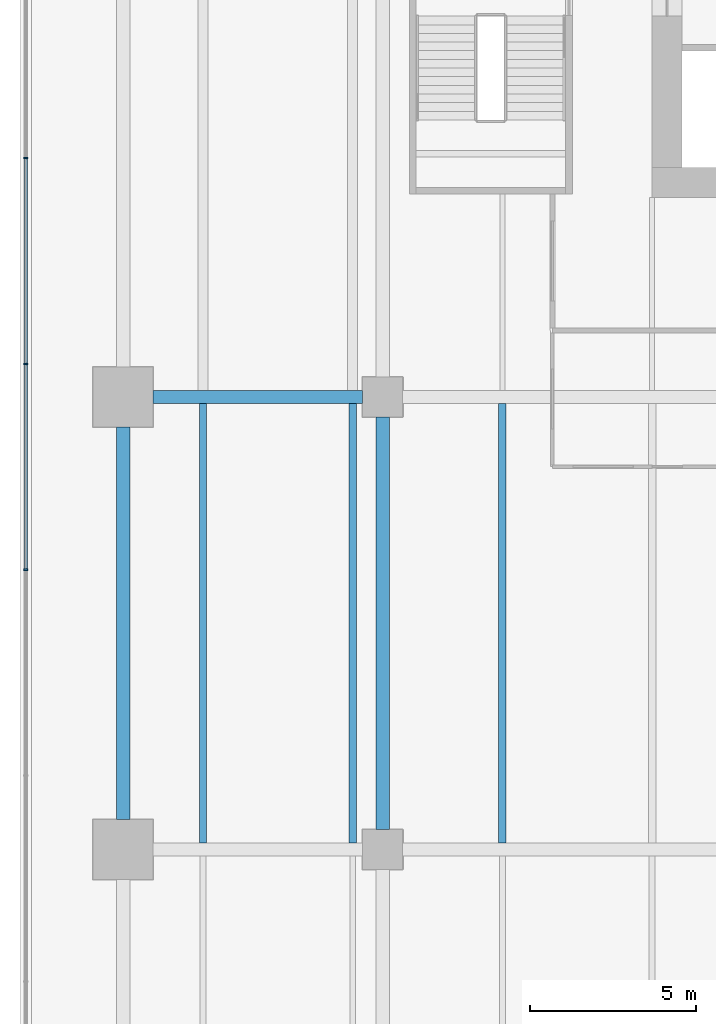
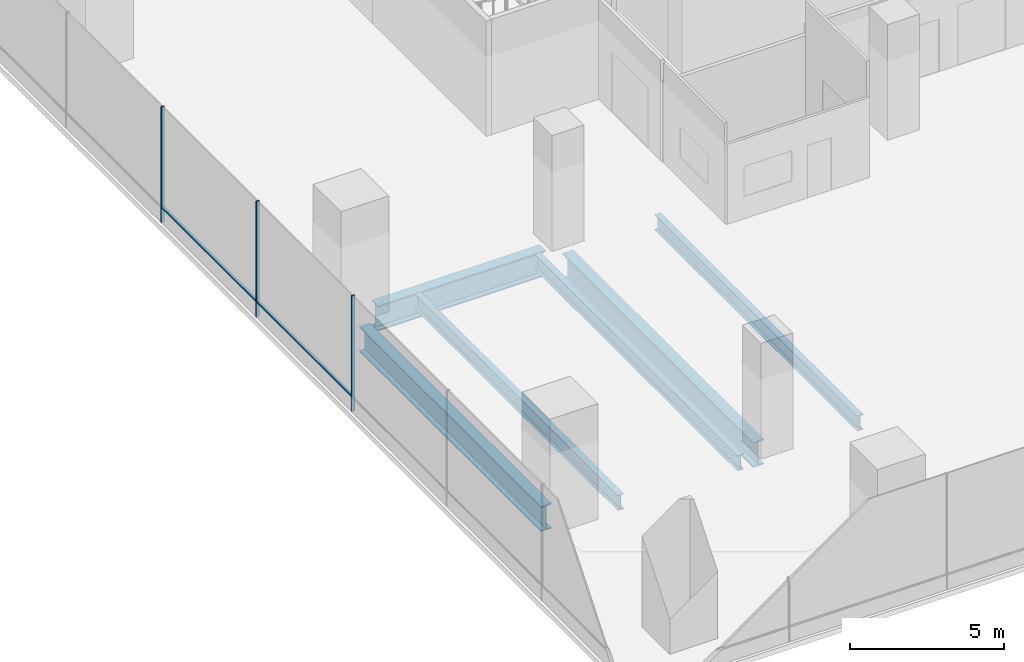
# One storey, part 4 of 28: 6 beams, 5 members, 1 element without a shape of its own.
"""IFC4 building model written with IfcOpenShell, lengths in metres."""

from ifc_helpers import new_model, si_unit, direction, frame, origin, origin_2d, place, context, subcontext, project, spatial, rectangle, i_section, extrude, material, layer, layer_set, material_profile, profile_set, type_object, element, aggregate, save


model = new_model("IFC4")

# Units and contexts
model_context = context("Model", 3, precision=1e-05, world=origin(), true_north=direction((0.0, 1.0)))
body_context = subcontext(model_context, "Body", "Model", "MODEL_VIEW")
ifc_project = project(units=[si_unit("LENGTHUNIT", "METRE"), si_unit("AREAUNIT", "SQUARE_METRE"), si_unit("VOLUMEUNIT", "CUBIC_METRE"), si_unit("PLANEANGLEUNIT", "RADIAN"), si_unit("MASSUNIT", "GRAM", prefix="KILO")], contexts=[model_context])

# Site, building, storey
site_placement = place(None, origin())
site = spatial("IfcSite", under=ifc_project, at=site_placement, CompositionType="ELEMENT")
building_placement = place(site_placement, origin())
building = spatial("IfcBuilding", under=site, at=building_placement, Name="Rattan Terrace Tower", CompositionType="ELEMENT")
storey_placement = place(building_placement, frame((0.0, 0.0, 22.199951171875)))
storey = spatial("IfcBuildingStorey", under=building, at=storey_placement, Name="L04", CompositionType="ELEMENT", Elevation=22.199951171875)

# Beams
ifc_material_1 = material(Name="Steel S355", Category="steel")
ifc_material_profile_1 = material_profile(ifc_material_1, i_section(OverallWidth=0.22412109375, OverallDepth=0.610107421875, WebThickness=0.014892578125, FlangeThickness=0.02392578125, FilletRadius=0.02392578125, at=origin_2d()), Name="IPE O 600")
ifc_profile_set_1 = profile_set([ifc_material_profile_1], Name="Steel S355")
beam_type_1 = type_object("IfcBeamType", Name="Frame floor beam IPE O 600", PredefinedType="JOIST", material=ifc_profile_set_1)
for number, where, z_axis, x_axis, name in (
    (1, (-31.5, -26.89990234375, -0.5048828125), (0.0, 1.0, 0.0), (-1.0, 0.0, 0.0), "bm-L04-015"),
    (2, (-27.0, -26.89990234375, -0.5048828125), (0.0, 1.0, 0.0), (-1.0, 0.0, 0.0), "bm-L04-016"),
    (3, (-22.5, -26.89990234375, -0.5048828125), (0.0, 1.0, 0.0), (-1.0, 0.0, 0.0), "bm-L04-017"),
):
    element("IfcBeam", number, at=place(storey_placement, frame(where, z_axis=z_axis, x_axis=x_axis)), inside=storey, type_object=beam_type_1, Name=name, PredefinedType="JOIST", context=body_context, shape_type="SweptSolid", body=[
        extrude(i_section(OverallWidth=0.22412109375, OverallDepth=0.610107421875, WebThickness=0.014892578125, FlangeThickness=0.02392578125, FilletRadius=0.02392578125, at=origin_2d()), origin(), (0.0, 0.0, 1.0), 13.199951171875),
    ])
ifc_material_2 = material(Name="Steel S460", Category="steel")
ifc_material_profile_2 = material_profile(ifc_material_2, i_section(OverallWidth=0.39990234375, OverallDepth=1.0, WebThickness=0.01806640625, FlangeThickness=0.044921875, at=origin_2d()), Name="PG 1000x400-18-45")
ifc_profile_set_2 = profile_set([ifc_material_profile_2], Name="Steel S460")
beam_type_2 = type_object("IfcBeamType", Name="Frame podium girder PG 1000x400-18-45", PredefinedType="USERDEFINED", material=ifc_profile_set_2)
beam_1_placement = place(storey_placement, frame((-26.10009765625, -26.5, -0.699951171875), z_axis=(0.0, 1.0, 0.0), x_axis=(-1.0, 0.0, 0.0)))
element("IfcBeam", 4, at=beam_1_placement, inside=storey, type_object=beam_type_2, Name="gdr-L04-020", ObjectType="PODIUM GIRDER", PredefinedType="USERDEFINED", context=body_context, shape_type="SweptSolid", body=[
    extrude(i_section(OverallWidth=0.39990234375, OverallDepth=1.0, WebThickness=0.01806640625, FlangeThickness=0.044921875, at=origin_2d()), origin(), (0.0, 0.0, 1.0), 12.39990234375),
])
beam_2_placement = place(storey_placement, frame((-33.89990234375, -26.199951171875, -0.699951171875), z_axis=(0.0, 1.0, 0.0), x_axis=(-1.0, 0.0, 0.0)))
element("IfcBeam", 5, at=beam_2_placement, inside=storey, type_object=beam_type_2, Name="gdr-L04-025", ObjectType="PODIUM GIRDER", PredefinedType="USERDEFINED", context=body_context, shape_type="SweptSolid", body=[
    extrude(i_section(OverallWidth=0.39990234375, OverallDepth=1.0, WebThickness=0.01806640625, FlangeThickness=0.044921875, at=origin_2d()), origin(), (0.0, 0.0, 1.0), 11.800048828125),
])
beam_3_placement = place(storey_placement, frame((-33.0, -13.5, -0.699951171875), z_axis=(1.0, 0.0, 0.0), x_axis=(0.0, 1.0, 0.0)))
element("IfcBeam", 6, at=beam_3_placement, inside=storey, type_object=beam_type_2, Name="gdr-L04-027", ObjectType="PODIUM GIRDER", PredefinedType="USERDEFINED", context=body_context, shape_type="SweptSolid", body=[
    extrude(i_section(OverallWidth=0.39990234375, OverallDepth=1.0, WebThickness=0.01806640625, FlangeThickness=0.044921875, at=origin_2d()), origin(), (0.0, 0.0, 1.0), 6.300048828125),
])

# Curtain wall, members
ifc_material_3 = material(Name="Aluminium and glass", Category="aluminium")
ifc_layer = layer(ifc_material_3, 0.1201171875)
ifc_layer_set = layer_set([ifc_layer], Name="Station Storefront Curtain Wall")
curtain_wall_type = type_object("IfcCurtainWallType", Name="Station Storefront Curtain Wall", PredefinedType="NOTDEFINED", material=ifc_layer_set)
curtain_wall_placement = place(storey_placement, origin())
curtain_wall = element("IfcCurtainWall", 7, at=curtain_wall_placement, inside=storey, type_object=curtain_wall_type, Name="Storefront curtain wall L04-3", PredefinedType="NOTDEFINED")
ifc_material_4 = material(Name="Aluminium", Category="aluminium")
ifc_material_profile_3 = material_profile(ifc_material_4, rectangle(XDim=0.050048828125, YDim=0.1201171875, at=origin_2d()), Name="Aluminium 50x120")
ifc_profile_set_3 = profile_set([ifc_material_profile_3], Name="Aluminium")
member_type_1 = type_object("IfcMemberType", Name="Storefront CW Mullion 50x120", PredefinedType="MULLION", material=ifc_profile_set_3)
member_1_placement = place(storey_placement, frame((-36.830078125, -6.31396484375, 0.0), z_axis=(0.0, 0.0, 1.0), x_axis=(0.0, -1.0, 0.0)))
member_1 = element("IfcMember", 8, at=member_1_placement, type_object=member_type_1, Name="Mullion cwl-L04-003.4", PredefinedType="MULLION", context=body_context, shape_type="SweptSolid", body=[
    extrude(rectangle(XDim=0.050048828125, YDim=0.1201171875, at=origin_2d()), origin(), (0.0, 0.0, 1.0), 4.60009765625),
])
member_2_placement = place(storey_placement, frame((-36.830078125, -12.501953125, 0.0), z_axis=(0.0, 0.0, 1.0), x_axis=(0.0, -1.0, 0.0)))
member_2 = element("IfcMember", 9, at=member_2_placement, type_object=member_type_1, Name="Mullion cwl-L04-003.5", PredefinedType="MULLION", context=body_context, shape_type="SweptSolid", body=[
    extrude(rectangle(XDim=0.050048828125, YDim=0.1201171875, at=origin_2d()), origin(), (0.0, 0.0, 1.0), 4.60009765625),
])
member_3_placement = place(storey_placement, frame((-36.830078125, -18.68994140625, 0.0), z_axis=(0.0, 0.0, 1.0), x_axis=(0.0, -1.0, 0.0)))
member_3 = element("IfcMember", 10, at=member_3_placement, type_object=member_type_1, Name="Mullion cwl-L04-003.6", PredefinedType="MULLION", context=body_context, shape_type="SweptSolid", body=[
    extrude(rectangle(XDim=0.050048828125, YDim=0.1201171875, at=origin_2d()), origin(), (0.0, 0.0, 1.0), 4.60009765625),
])
ifc_material_5 = material(Name="Aluminium", Category="aluminium")
ifc_material_profile_4 = material_profile(ifc_material_5, rectangle(XDim=0.10009765625, YDim=0.050048828125, at=origin_2d()), Name="Aluminium 100x50")
ifc_profile_set_4 = profile_set([ifc_material_profile_4], Name="Aluminium")
member_type_2 = type_object("IfcMemberType", Name="Storefront CW Transom 100x50", PredefinedType="USERDEFINED", material=ifc_profile_set_4)
member_4_placement = place(storey_placement, frame((-36.830078125, -6.339111328125, 0.60009765625), z_axis=(0.0, -1.0, 0.0), x_axis=(1.0, 0.0, 0.0)))
member_4 = element("IfcMember", 11, at=member_4_placement, type_object=member_type_2, Name="Transom cwl-L04-003.4", ObjectType="TRANSOM", PredefinedType="USERDEFINED", context=body_context, shape_type="SweptSolid", body=[
    extrude(rectangle(XDim=0.10009765625, YDim=0.050048828125, at=origin_2d()), origin(), (0.0, 0.0, 1.0), 6.137939453125),
])
member_5_placement = place(storey_placement, frame((-36.830078125, -12.527099609375, 0.60009765625), z_axis=(0.0, -1.0, 0.0), x_axis=(1.0, 0.0, 0.0)))
member_5 = element("IfcMember", 12, at=member_5_placement, type_object=member_type_2, Name="Transom cwl-L04-003.5", ObjectType="TRANSOM", PredefinedType="USERDEFINED", context=body_context, shape_type="SweptSolid", body=[
    extrude(rectangle(XDim=0.10009765625, YDim=0.050048828125, at=origin_2d()), origin(), (0.0, 0.0, 1.0), 6.137939453125),
])
aggregate(curtain_wall, [member_1, member_2, member_3, member_4, member_5])

save(model, "model.ifc")
